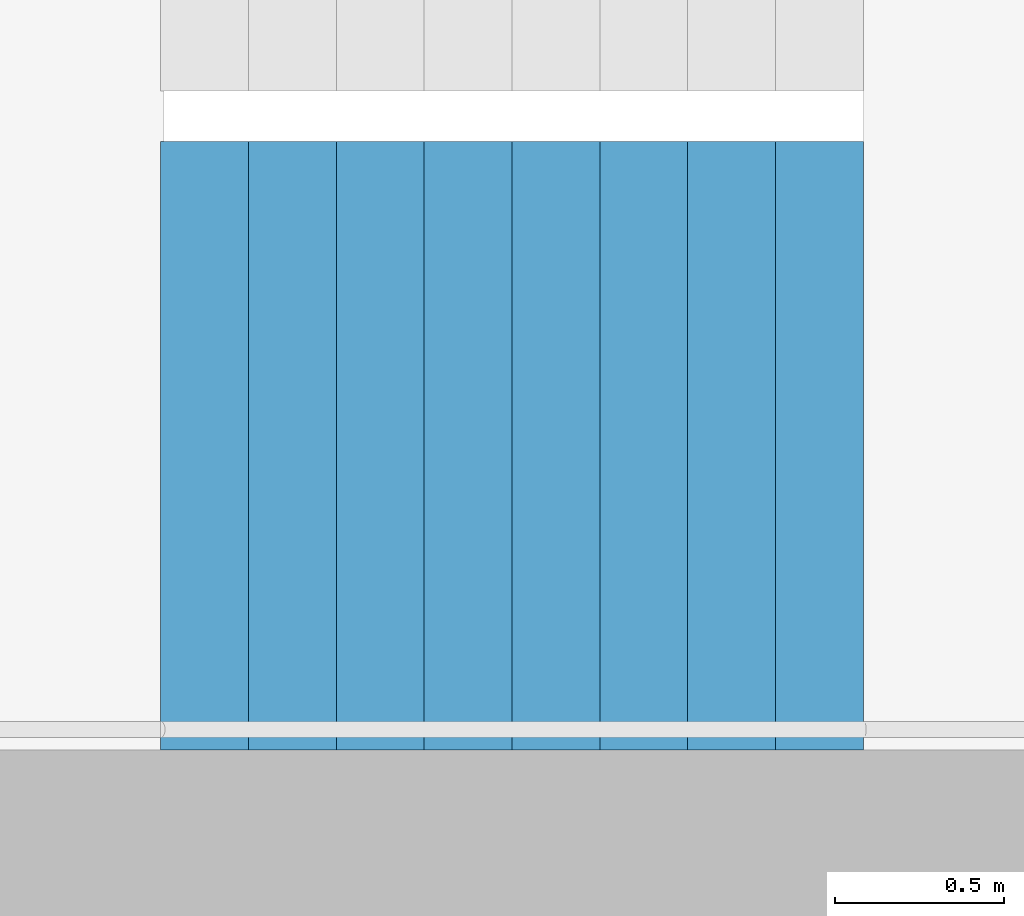
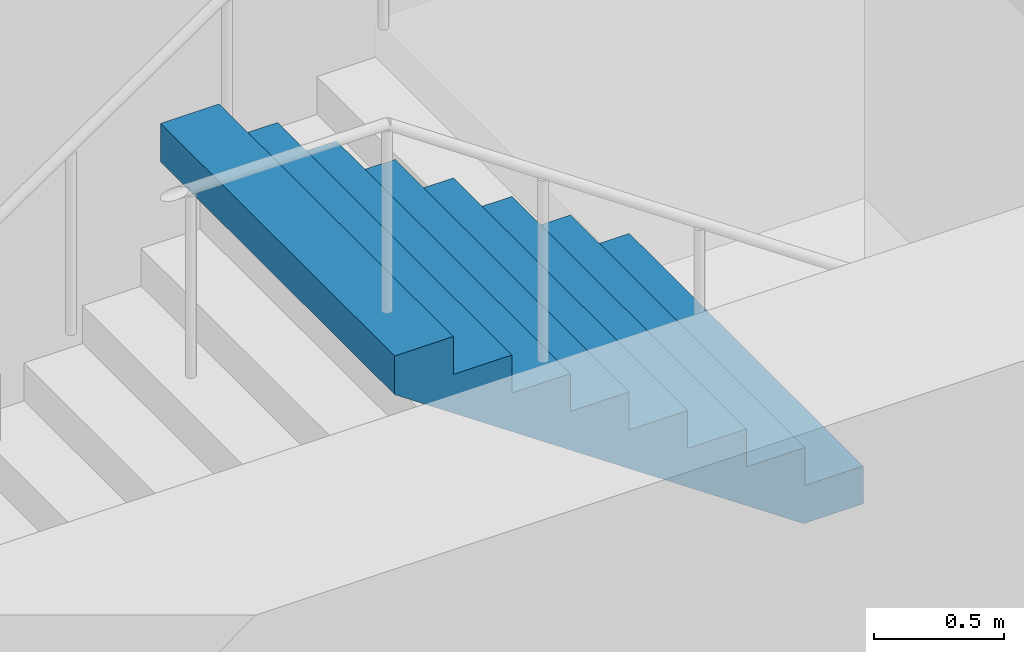
# One storey, part 22 of 26: 1 stair flight, 1 element without a shape of its own.
"""IFC4 building model written with IfcOpenShell, lengths in metres."""

from ifc_helpers import new_model, si_unit, direction, frame, origin, place, context, subcontext, project, spatial, triangles, material, type_object, element, aggregate, save


model = new_model("IFC4")

# Units and contexts
model_context = context("Model", 3, precision=1e-05, world=origin(), true_north=direction((0.0, 1.0)))
body_context = subcontext(model_context, "Body", "Model", "MODEL_VIEW")
ifc_project = project(units=[si_unit("LENGTHUNIT", "METRE"), si_unit("AREAUNIT", "SQUARE_METRE"), si_unit("VOLUMEUNIT", "CUBIC_METRE"), si_unit("PLANEANGLEUNIT", "RADIAN"), si_unit("MASSUNIT", "GRAM", prefix="KILO")], contexts=[model_context])

# Site, building, storey
site_placement = place(None, origin())
site = spatial("IfcSite", under=ifc_project, at=site_placement, CompositionType="ELEMENT")
building_placement = place(site_placement, origin())
building = spatial("IfcBuilding", under=site, at=building_placement, Name="Hakoniwa Tower and Hamabe Station Hall", CompositionType="ELEMENT")
storey_placement = place(building_placement, frame((0.0, 0.0, 196.199951171875)))
storey = spatial("IfcBuildingStorey", under=building, at=storey_placement, Name="L55", CompositionType="ELEMENT", Elevation=196.199951171875)

# Stair, stair flight
ifc_material_1 = material(Name="Concrete C40", Category="concrete")
stair_type = type_object("IfcStairType", Name="ESCAPE STAIR 1800", PredefinedType="HALF_TURN_STAIR", material=ifc_material_1)
stair_placement = place(storey_placement, origin())
stair = element("IfcStair", 1, at=stair_placement, inside=storey, type_object=stair_type, Name="Escape stair ST-4 L55", PredefinedType="HALF_TURN_STAIR")
ifc_material_2 = material(Name="Concrete C40", Category="concrete")
stair_flight_type = type_object("IfcStairFlightType", Name="STAIR FLIGHT 1800", PredefinedType="STRAIGHT", material=ifc_material_2)
stair_flight_placement = place(storey_placement, frame((25.47998046875, -6.60009765625, 1.60009765625), z_axis=(0.0, 0.0, 1.0), x_axis=(-1.0, 0.0, 0.0)))
stair_flight = element("IfcStairFlight", 2, at=stair_flight_placement, type_object=stair_flight_type, Name="ST-4 flight 2", NumberOfRisers=9, NumberOfTreads=8, PredefinedType="STRAIGHT", RiserHeight=0.177777778, TreadLength=0.26, context=body_context, shape_type="Tessellation", body=[
    triangles([(0.0, 0.89990234375, 0.0), (0.260009765625, 0.89990234375, 0.0), (0.265625, 0.89990234375, 0.0), (0.52001953125, 0.89990234375, 0.174072265625), (0.780029296875, 0.89990234375, 0.351806640625), (1.0400390625, 0.89990234375, 0.529541015625), (1.300048828125, 0.89990234375, 0.707275390625), (1.56005859375, 0.89990234375, 0.885009765625), (1.820068359375, 0.89990234375, 1.062744140625), (2.080078125, 0.89990234375, 1.24072265625), (2.080078125, 0.89990234375, 1.422119140625), (1.820068359375, 0.89990234375, 1.422119140625), (1.820068359375, 0.89990234375, 1.244384765625), (1.56005859375, 0.89990234375, 1.244384765625), (1.56005859375, 0.89990234375, 1.066650390625), (1.300048828125, 0.89990234375, 1.066650390625), (1.300048828125, 0.89990234375, 0.888916015625), (1.0400390625, 0.89990234375, 0.888916015625), (1.0400390625, 0.89990234375, 0.711181640625), (0.780029296875, 0.89990234375, 0.711181640625), (0.780029296875, 0.89990234375, 0.533447265625), (0.52001953125, 0.89990234375, 0.533447265625), (0.52001953125, 0.89990234375, 0.35546875), (0.265625, 0.89990234375, 0.35546875), (0.260009765625, 0.89990234375, 0.35546875), (0.260009765625, 0.89990234375, 0.177734375), (0.0, 0.89990234375, 0.177734375), (0.0, 0.06005859375, 0.0), (0.260009765625, 0.06005859375, 0.0), (0.265625, 0.06005859375, 0.0), (0.52001953125, 0.06005859375, 0.174072265625), (0.780029296875, 0.06005859375, 0.351806640625), (1.0400390625, 0.06005859375, 0.529541015625), (1.300048828125, 0.06005859375, 0.707275390625), (1.56005859375, 0.06005859375, 0.885009765625), (1.820068359375, 0.06005859375, 1.062744140625), (2.080078125, 0.06005859375, 1.24072265625), (2.080078125, 0.06005859375, 1.422119140625), (1.820068359375, 0.06005859375, 1.422119140625), (1.820068359375, 0.06005859375, 1.244384765625), (1.56005859375, 0.06005859375, 1.244384765625), (1.56005859375, 0.06005859375, 1.066650390625), (1.300048828125, 0.06005859375, 1.066650390625), (1.300048828125, 0.06005859375, 0.888916015625), (1.0400390625, 0.06005859375, 0.888916015625), (1.0400390625, 0.06005859375, 0.711181640625), (0.780029296875, 0.06005859375, 0.711181640625), (0.780029296875, 0.06005859375, 0.533447265625), (0.52001953125, 0.06005859375, 0.533447265625), (0.52001953125, 0.06005859375, 0.35546875), (0.265625, 0.06005859375, 0.35546875), (0.260009765625, 0.06005859375, 0.35546875), (0.260009765625, 0.06005859375, 0.177734375), (0.0, 0.06005859375, 0.177734375), (0.0, 0.04296875, 0.0), (0.260009765625, 0.04296875, 0.0), (0.265625, 0.04296875, 0.0), (0.52001953125, 0.04296875, 0.174072265625), (0.780029296875, 0.04296875, 0.351806640625), (1.0400390625, 0.04296875, 0.529541015625), (1.300048828125, 0.04296875, 0.707275390625), (1.56005859375, 0.04296875, 0.885009765625), (1.820068359375, 0.04296875, 1.062744140625), (2.080078125, 0.04296875, 1.24072265625), (2.080078125, 0.04296875, 1.422119140625), (1.820068359375, 0.04296875, 1.422119140625), (1.820068359375, 0.04296875, 1.244384765625), (1.56005859375, 0.04296875, 1.244384765625), (1.56005859375, 0.04296875, 1.066650390625), (1.300048828125, 0.04296875, 1.066650390625), (1.300048828125, 0.04296875, 0.888916015625), (1.0400390625, 0.04296875, 0.888916015625), (1.0400390625, 0.04296875, 0.711181640625), (0.780029296875, 0.04296875, 0.711181640625), (0.780029296875, 0.04296875, 0.533447265625), (0.52001953125, 0.04296875, 0.533447265625), (0.52001953125, 0.04296875, 0.35546875), (0.265625, 0.04296875, 0.35546875), (0.260009765625, 0.04296875, 0.35546875), (0.260009765625, 0.04296875, 0.177734375), (0.0, 0.04296875, 0.177734375), (0.0, 0.025634765625, 0.0), (0.260009765625, 0.025634765625, 0.0), (0.265625, 0.025634765625, 0.0), (0.52001953125, 0.025634765625, 0.174072265625), (0.780029296875, 0.025634765625, 0.351806640625), (1.0400390625, 0.025634765625, 0.529541015625), (1.300048828125, 0.025634765625, 0.707275390625), (1.56005859375, 0.025634765625, 0.885009765625), (1.820068359375, 0.025634765625, 1.062744140625), (2.080078125, 0.025634765625, 1.24072265625), (2.080078125, 0.025634765625, 1.422119140625), (1.820068359375, 0.025634765625, 1.422119140625), (1.820068359375, 0.025634765625, 1.244384765625), (1.56005859375, 0.025634765625, 1.244384765625), (1.56005859375, 0.025634765625, 1.066650390625), (1.300048828125, 0.025634765625, 1.066650390625), (1.300048828125, 0.025634765625, 0.888916015625), (1.0400390625, 0.025634765625, 0.888916015625), (1.0400390625, 0.025634765625, 0.711181640625), (0.780029296875, 0.025634765625, 0.711181640625), (0.780029296875, 0.025634765625, 0.533447265625), (0.52001953125, 0.025634765625, 0.533447265625), (0.52001953125, 0.025634765625, 0.35546875), (0.265625, 0.025634765625, 0.35546875), (0.260009765625, 0.025634765625, 0.35546875), (0.260009765625, 0.025634765625, 0.177734375), (0.0, 0.025634765625, 0.177734375), (0.0, 0.008544921875, 0.0), (0.260009765625, 0.008544921875, 0.0), (0.265625, 0.008544921875, 0.0), (0.52001953125, 0.008544921875, 0.174072265625), (0.780029296875, 0.008544921875, 0.351806640625), (1.0400390625, 0.008544921875, 0.529541015625), (1.300048828125, 0.008544921875, 0.707275390625), (1.56005859375, 0.008544921875, 0.885009765625), (1.820068359375, 0.008544921875, 1.062744140625), (2.080078125, 0.008544921875, 1.24072265625), (2.080078125, 0.008544921875, 1.422119140625), (1.820068359375, 0.008544921875, 1.422119140625), (1.820068359375, 0.008544921875, 1.244384765625), (1.56005859375, 0.008544921875, 1.244384765625), (1.56005859375, 0.008544921875, 1.066650390625), (1.300048828125, 0.008544921875, 1.066650390625), (1.300048828125, 0.008544921875, 0.888916015625), (1.0400390625, 0.008544921875, 0.888916015625), (1.0400390625, 0.008544921875, 0.711181640625), (0.780029296875, 0.008544921875, 0.711181640625), (0.780029296875, 0.008544921875, 0.533447265625), (0.52001953125, 0.008544921875, 0.533447265625), (0.52001953125, 0.008544921875, 0.35546875), (0.265625, 0.008544921875, 0.35546875), (0.260009765625, 0.008544921875, 0.35546875), (0.260009765625, 0.008544921875, 0.177734375), (0.0, 0.008544921875, 0.177734375), (0.0, -0.008544921875, 0.0), (0.260009765625, -0.008544921875, 0.0), (0.265625, -0.008544921875, 0.0), (0.52001953125, -0.008544921875, 0.174072265625), (0.780029296875, -0.008544921875, 0.351806640625), (1.0400390625, -0.008544921875, 0.529541015625), (1.300048828125, -0.008544921875, 0.707275390625), (1.56005859375, -0.008544921875, 0.885009765625), (1.820068359375, -0.008544921875, 1.062744140625), (2.080078125, -0.008544921875, 1.24072265625), (2.080078125, -0.008544921875, 1.422119140625), (1.820068359375, -0.008544921875, 1.422119140625), (1.820068359375, -0.008544921875, 1.244384765625), (1.56005859375, -0.008544921875, 1.244384765625), (1.56005859375, -0.008544921875, 1.066650390625), (1.300048828125, -0.008544921875, 1.066650390625), (1.300048828125, -0.008544921875, 0.888916015625), (1.0400390625, -0.008544921875, 0.888916015625), (1.0400390625, -0.008544921875, 0.711181640625), (0.780029296875, -0.008544921875, 0.711181640625), (0.780029296875, -0.008544921875, 0.533447265625), (0.52001953125, -0.008544921875, 0.533447265625), (0.52001953125, -0.008544921875, 0.35546875), (0.265625, -0.008544921875, 0.35546875), (0.260009765625, -0.008544921875, 0.35546875), (0.260009765625, -0.008544921875, 0.177734375), (0.0, -0.008544921875, 0.177734375), (0.0, -0.025634765625, 0.0), (0.260009765625, -0.025634765625, 0.0), (0.265625, -0.025634765625, 0.0), (0.52001953125, -0.025634765625, 0.174072265625), (0.780029296875, -0.025634765625, 0.351806640625), (1.0400390625, -0.025634765625, 0.529541015625), (1.300048828125, -0.025634765625, 0.707275390625), (1.56005859375, -0.025634765625, 0.885009765625), (1.820068359375, -0.025634765625, 1.062744140625), (2.080078125, -0.025634765625, 1.24072265625), (2.080078125, -0.025634765625, 1.422119140625), (1.820068359375, -0.025634765625, 1.422119140625), (1.820068359375, -0.025634765625, 1.244384765625), (1.56005859375, -0.025634765625, 1.244384765625), (1.56005859375, -0.025634765625, 1.066650390625), (1.300048828125, -0.025634765625, 1.066650390625), (1.300048828125, -0.025634765625, 0.888916015625), (1.0400390625, -0.025634765625, 0.888916015625), (1.0400390625, -0.025634765625, 0.711181640625), (0.780029296875, -0.025634765625, 0.711181640625), (0.780029296875, -0.025634765625, 0.533447265625), (0.52001953125, -0.025634765625, 0.533447265625), (0.52001953125, -0.025634765625, 0.35546875), (0.265625, -0.025634765625, 0.35546875), (0.260009765625, -0.025634765625, 0.35546875), (0.260009765625, -0.025634765625, 0.177734375), (0.0, -0.025634765625, 0.177734375), (0.0, -0.04296875, 0.0), (0.260009765625, -0.04296875, 0.0), (0.265625, -0.04296875, 0.0), (0.52001953125, -0.04296875, 0.174072265625), (0.780029296875, -0.04296875, 0.351806640625), (1.0400390625, -0.04296875, 0.529541015625), (1.300048828125, -0.04296875, 0.707275390625), (1.56005859375, -0.04296875, 0.885009765625), (1.820068359375, -0.04296875, 1.062744140625), (2.080078125, -0.04296875, 1.24072265625), (2.080078125, -0.04296875, 1.422119140625), (1.820068359375, -0.04296875, 1.422119140625), (1.820068359375, -0.04296875, 1.244384765625), (1.56005859375, -0.04296875, 1.244384765625), (1.56005859375, -0.04296875, 1.066650390625), (1.300048828125, -0.04296875, 1.066650390625), (1.300048828125, -0.04296875, 0.888916015625), (1.0400390625, -0.04296875, 0.888916015625), (1.0400390625, -0.04296875, 0.711181640625), (0.780029296875, -0.04296875, 0.711181640625), (0.780029296875, -0.04296875, 0.533447265625), (0.52001953125, -0.04296875, 0.533447265625), (0.52001953125, -0.04296875, 0.35546875), (0.265625, -0.04296875, 0.35546875), (0.260009765625, -0.04296875, 0.35546875), (0.260009765625, -0.04296875, 0.177734375), (0.0, -0.04296875, 0.177734375), (0.0, -0.06005859375, 0.0), (0.260009765625, -0.06005859375, 0.0), (0.265625, -0.06005859375, 0.0), (0.52001953125, -0.06005859375, 0.174072265625), (0.780029296875, -0.06005859375, 0.351806640625), (1.0400390625, -0.06005859375, 0.529541015625), (1.300048828125, -0.06005859375, 0.707275390625), (1.56005859375, -0.06005859375, 0.885009765625), (1.820068359375, -0.06005859375, 1.062744140625), (2.080078125, -0.06005859375, 1.24072265625), (2.080078125, -0.06005859375, 1.422119140625), (1.820068359375, -0.06005859375, 1.422119140625), (1.820068359375, -0.06005859375, 1.244384765625), (1.56005859375, -0.06005859375, 1.244384765625), (1.56005859375, -0.06005859375, 1.066650390625), (1.300048828125, -0.06005859375, 1.066650390625), (1.300048828125, -0.06005859375, 0.888916015625), (1.0400390625, -0.06005859375, 0.888916015625), (1.0400390625, -0.06005859375, 0.711181640625), (0.780029296875, -0.06005859375, 0.711181640625), (0.780029296875, -0.06005859375, 0.533447265625), (0.52001953125, -0.06005859375, 0.533447265625), (0.52001953125, -0.06005859375, 0.35546875), (0.265625, -0.06005859375, 0.35546875), (0.260009765625, -0.06005859375, 0.35546875), (0.260009765625, -0.06005859375, 0.177734375), (0.0, -0.06005859375, 0.177734375), (0.0, -0.89990234375, 0.0), (0.260009765625, -0.89990234375, 0.0), (0.265625, -0.89990234375, 0.0), (0.52001953125, -0.89990234375, 0.174072265625), (0.780029296875, -0.89990234375, 0.351806640625), (1.0400390625, -0.89990234375, 0.529541015625), (1.300048828125, -0.89990234375, 0.707275390625), (1.56005859375, -0.89990234375, 0.885009765625), (1.820068359375, -0.89990234375, 1.062744140625), (2.080078125, -0.89990234375, 1.24072265625), (2.080078125, -0.89990234375, 1.422119140625), (1.820068359375, -0.89990234375, 1.422119140625), (1.820068359375, -0.89990234375, 1.244384765625), (1.56005859375, -0.89990234375, 1.244384765625), (1.56005859375, -0.89990234375, 1.066650390625), (1.300048828125, -0.89990234375, 1.066650390625), (1.300048828125, -0.89990234375, 0.888916015625), (1.0400390625, -0.89990234375, 0.888916015625), (1.0400390625, -0.89990234375, 0.711181640625), (0.780029296875, -0.89990234375, 0.711181640625), (0.780029296875, -0.89990234375, 0.533447265625), (0.52001953125, -0.89990234375, 0.533447265625), (0.52001953125, -0.89990234375, 0.35546875), (0.265625, -0.89990234375, 0.35546875), (0.260009765625, -0.89990234375, 0.35546875), (0.260009765625, -0.89990234375, 0.177734375), (0.0, -0.89990234375, 0.177734375)], [[2, 27, 26], [245, 269, 270], [2, 1, 27], [245, 270, 244], [3, 25, 24], [246, 267, 268], [3, 26, 25], [246, 268, 269], [3, 2, 26], [246, 269, 245], [4, 24, 23], [247, 266, 267], [4, 3, 24], [247, 267, 246], [5, 22, 21], [248, 264, 265], [5, 23, 22], [248, 265, 266], [5, 4, 23], [248, 266, 247], [6, 20, 19], [249, 262, 263], [6, 21, 20], [249, 263, 264], [6, 5, 21], [249, 264, 248], [7, 18, 17], [250, 260, 261], [7, 19, 18], [250, 261, 262], [7, 6, 19], [250, 262, 249], [8, 16, 15], [251, 258, 259], [8, 17, 16], [251, 259, 260], [8, 7, 17], [251, 260, 250], [9, 14, 13], [252, 256, 257], [9, 15, 14], [252, 257, 258], [9, 8, 15], [252, 258, 251], [10, 12, 11], [253, 254, 255], [10, 13, 12], [253, 255, 256], [10, 9, 13], [253, 256, 252], [1, 2, 29], [1, 29, 28], [28, 29, 56], [28, 56, 55], [55, 56, 83], [55, 83, 82], [82, 83, 110], [82, 110, 109], [109, 110, 137], [109, 137, 136], [136, 137, 164], [136, 164, 163], [163, 164, 191], [163, 191, 190], [190, 191, 218], [190, 218, 217], [217, 218, 245], [217, 245, 244], [2, 3, 30], [2, 30, 29], [29, 30, 57], [29, 57, 56], [56, 57, 84], [56, 84, 83], [83, 84, 111], [83, 111, 110], [110, 111, 138], [110, 138, 137], [137, 138, 165], [137, 165, 164], [164, 165, 192], [164, 192, 191], [191, 192, 219], [191, 219, 218], [218, 219, 246], [218, 246, 245], [3, 4, 31], [3, 31, 30], [30, 31, 58], [30, 58, 57], [57, 58, 85], [57, 85, 84], [84, 85, 112], [84, 112, 111], [111, 112, 139], [111, 139, 138], [138, 139, 166], [138, 166, 165], [165, 166, 193], [165, 193, 192], [192, 193, 220], [192, 220, 219], [219, 220, 247], [219, 247, 246], [4, 5, 32], [4, 32, 31], [31, 32, 59], [31, 59, 58], [58, 59, 86], [58, 86, 85], [85, 86, 113], [85, 113, 112], [112, 113, 140], [112, 140, 139], [139, 140, 167], [139, 167, 166], [166, 167, 194], [166, 194, 193], [193, 194, 221], [193, 221, 220], [220, 221, 248], [220, 248, 247], [5, 6, 33], [5, 33, 32], [32, 33, 60], [32, 60, 59], [59, 60, 87], [59, 87, 86], [86, 87, 114], [86, 114, 113], [113, 114, 141], [113, 141, 140], [140, 141, 168], [140, 168, 167], [167, 168, 195], [167, 195, 194], [194, 195, 222], [194, 222, 221], [221, 222, 249], [221, 249, 248], [6, 7, 34], [6, 34, 33], [33, 34, 61], [33, 61, 60], [60, 61, 88], [60, 88, 87], [87, 88, 115], [87, 115, 114], [114, 115, 142], [114, 142, 141], [141, 142, 169], [141, 169, 168], [168, 169, 196], [168, 196, 195], [195, 196, 223], [195, 223, 222], [222, 223, 250], [222, 250, 249], [7, 8, 35], [7, 35, 34], [34, 35, 62], [34, 62, 61], [61, 62, 89], [61, 89, 88], [88, 89, 116], [88, 116, 115], [115, 116, 143], [115, 143, 142], [142, 143, 170], [142, 170, 169], [169, 170, 197], [169, 197, 196], [196, 197, 224], [196, 224, 223], [223, 224, 251], [223, 251, 250], [8, 9, 36], [8, 36, 35], [35, 36, 63], [35, 63, 62], [62, 63, 90], [62, 90, 89], [89, 90, 117], [89, 117, 116], [116, 117, 144], [116, 144, 143], [143, 144, 171], [143, 171, 170], [170, 171, 198], [170, 198, 197], [197, 198, 225], [197, 225, 224], [224, 225, 252], [224, 252, 251], [9, 10, 37], [9, 37, 36], [36, 37, 64], [36, 64, 63], [63, 64, 91], [63, 91, 90], [90, 91, 118], [90, 118, 117], [117, 118, 145], [117, 145, 144], [144, 145, 172], [144, 172, 171], [171, 172, 199], [171, 199, 198], [198, 199, 226], [198, 226, 225], [225, 226, 253], [225, 253, 252], [10, 11, 38], [10, 38, 37], [37, 38, 65], [37, 65, 64], [64, 65, 92], [64, 92, 91], [91, 92, 119], [91, 119, 118], [118, 119, 146], [118, 146, 145], [145, 146, 173], [145, 173, 172], [172, 173, 200], [172, 200, 199], [199, 200, 227], [199, 227, 226], [226, 227, 254], [226, 254, 253], [11, 12, 39], [11, 39, 38], [38, 39, 66], [38, 66, 65], [65, 66, 93], [65, 93, 92], [92, 93, 120], [92, 120, 119], [119, 120, 147], [119, 147, 146], [146, 147, 174], [146, 174, 173], [173, 174, 201], [173, 201, 200], [200, 201, 228], [200, 228, 227], [227, 228, 255], [227, 255, 254], [12, 13, 40], [12, 40, 39], [39, 40, 67], [39, 67, 66], [66, 67, 94], [66, 94, 93], [93, 94, 121], [93, 121, 120], [120, 121, 148], [120, 148, 147], [147, 148, 175], [147, 175, 174], [174, 175, 202], [174, 202, 201], [201, 202, 229], [201, 229, 228], [228, 229, 256], [228, 256, 255], [13, 14, 41], [13, 41, 40], [40, 41, 68], [40, 68, 67], [67, 68, 95], [67, 95, 94], [94, 95, 122], [94, 122, 121], [121, 122, 149], [121, 149, 148], [148, 149, 176], [148, 176, 175], [175, 176, 203], [175, 203, 202], [202, 203, 230], [202, 230, 229], [229, 230, 257], [229, 257, 256], [14, 15, 42], [14, 42, 41], [41, 42, 69], [41, 69, 68], [68, 69, 96], [68, 96, 95], [95, 96, 123], [95, 123, 122], [122, 123, 150], [122, 150, 149], [149, 150, 177], [149, 177, 176], [176, 177, 204], [176, 204, 203], [203, 204, 231], [203, 231, 230], [230, 231, 258], [230, 258, 257], [15, 16, 43], [15, 43, 42], [42, 43, 70], [42, 70, 69], [69, 70, 97], [69, 97, 96], [96, 97, 124], [96, 124, 123], [123, 124, 151], [123, 151, 150], [150, 151, 178], [150, 178, 177], [177, 178, 205], [177, 205, 204], [204, 205, 232], [204, 232, 231], [231, 232, 259], [231, 259, 258], [16, 17, 44], [16, 44, 43], [43, 44, 71], [43, 71, 70], [70, 71, 98], [70, 98, 97], [97, 98, 125], [97, 125, 124], [124, 125, 152], [124, 152, 151], [151, 152, 179], [151, 179, 178], [178, 179, 206], [178, 206, 205], [205, 206, 233], [205, 233, 232], [232, 233, 260], [232, 260, 259], [17, 18, 45], [17, 45, 44], [44, 45, 72], [44, 72, 71], [71, 72, 99], [71, 99, 98], [98, 99, 126], [98, 126, 125], [125, 126, 153], [125, 153, 152], [152, 153, 180], [152, 180, 179], [179, 180, 207], [179, 207, 206], [206, 207, 234], [206, 234, 233], [233, 234, 261], [233, 261, 260], [18, 19, 46], [18, 46, 45], [45, 46, 73], [45, 73, 72], [72, 73, 100], [72, 100, 99], [99, 100, 127], [99, 127, 126], [126, 127, 154], [126, 154, 153], [153, 154, 181], [153, 181, 180], [180, 181, 208], [180, 208, 207], [207, 208, 235], [207, 235, 234], [234, 235, 262], [234, 262, 261], [19, 20, 47], [19, 47, 46], [46, 47, 74], [46, 74, 73], [73, 74, 101], [73, 101, 100], [100, 101, 128], [100, 128, 127], [127, 128, 155], [127, 155, 154], [154, 155, 182], [154, 182, 181], [181, 182, 209], [181, 209, 208], [208, 209, 236], [208, 236, 235], [235, 236, 263], [235, 263, 262], [20, 21, 48], [20, 48, 47], [47, 48, 75], [47, 75, 74], [74, 75, 102], [74, 102, 101], [101, 102, 129], [101, 129, 128], [128, 129, 156], [128, 156, 155], [155, 156, 183], [155, 183, 182], [182, 183, 210], [182, 210, 209], [209, 210, 237], [209, 237, 236], [236, 237, 264], [236, 264, 263], [21, 22, 49], [21, 49, 48], [48, 49, 76], [48, 76, 75], [75, 76, 103], [75, 103, 102], [102, 103, 130], [102, 130, 129], [129, 130, 157], [129, 157, 156], [156, 157, 184], [156, 184, 183], [183, 184, 211], [183, 211, 210], [210, 211, 238], [210, 238, 237], [237, 238, 265], [237, 265, 264], [22, 23, 50], [22, 50, 49], [49, 50, 77], [49, 77, 76], [76, 77, 104], [76, 104, 103], [103, 104, 131], [103, 131, 130], [130, 131, 158], [130, 158, 157], [157, 158, 185], [157, 185, 184], [184, 185, 212], [184, 212, 211], [211, 212, 239], [211, 239, 238], [238, 239, 266], [238, 266, 265], [23, 24, 51], [23, 51, 50], [50, 51, 78], [50, 78, 77], [77, 78, 105], [77, 105, 104], [104, 105, 132], [104, 132, 131], [131, 132, 159], [131, 159, 158], [158, 159, 186], [158, 186, 185], [185, 186, 213], [185, 213, 212], [212, 213, 240], [212, 240, 239], [239, 240, 267], [239, 267, 266], [24, 25, 52], [24, 52, 51], [51, 52, 79], [51, 79, 78], [78, 79, 106], [78, 106, 105], [105, 106, 133], [105, 133, 132], [132, 133, 160], [132, 160, 159], [159, 160, 187], [159, 187, 186], [186, 187, 214], [186, 214, 213], [213, 214, 241], [213, 241, 240], [240, 241, 268], [240, 268, 267], [25, 26, 53], [25, 53, 52], [52, 53, 80], [52, 80, 79], [79, 80, 107], [79, 107, 106], [106, 107, 134], [106, 134, 133], [133, 134, 161], [133, 161, 160], [160, 161, 188], [160, 188, 187], [187, 188, 215], [187, 215, 214], [214, 215, 242], [214, 242, 241], [241, 242, 269], [241, 269, 268], [26, 27, 54], [26, 54, 53], [53, 54, 81], [53, 81, 80], [80, 81, 108], [80, 108, 107], [107, 108, 135], [107, 135, 134], [134, 135, 162], [134, 162, 161], [161, 162, 189], [161, 189, 188], [188, 189, 216], [188, 216, 215], [215, 216, 243], [215, 243, 242], [242, 243, 270], [242, 270, 269], [27, 1, 28], [27, 28, 54], [54, 28, 55], [54, 55, 81], [81, 55, 82], [81, 82, 108], [108, 82, 109], [108, 109, 135], [135, 109, 136], [135, 136, 162], [162, 136, 163], [162, 163, 189], [189, 163, 190], [189, 190, 216], [216, 190, 217], [216, 217, 243], [243, 217, 244], [243, 244, 270]], closed=True),
])
aggregate(stair, [stair_flight])

save(model, "model.ifc")
